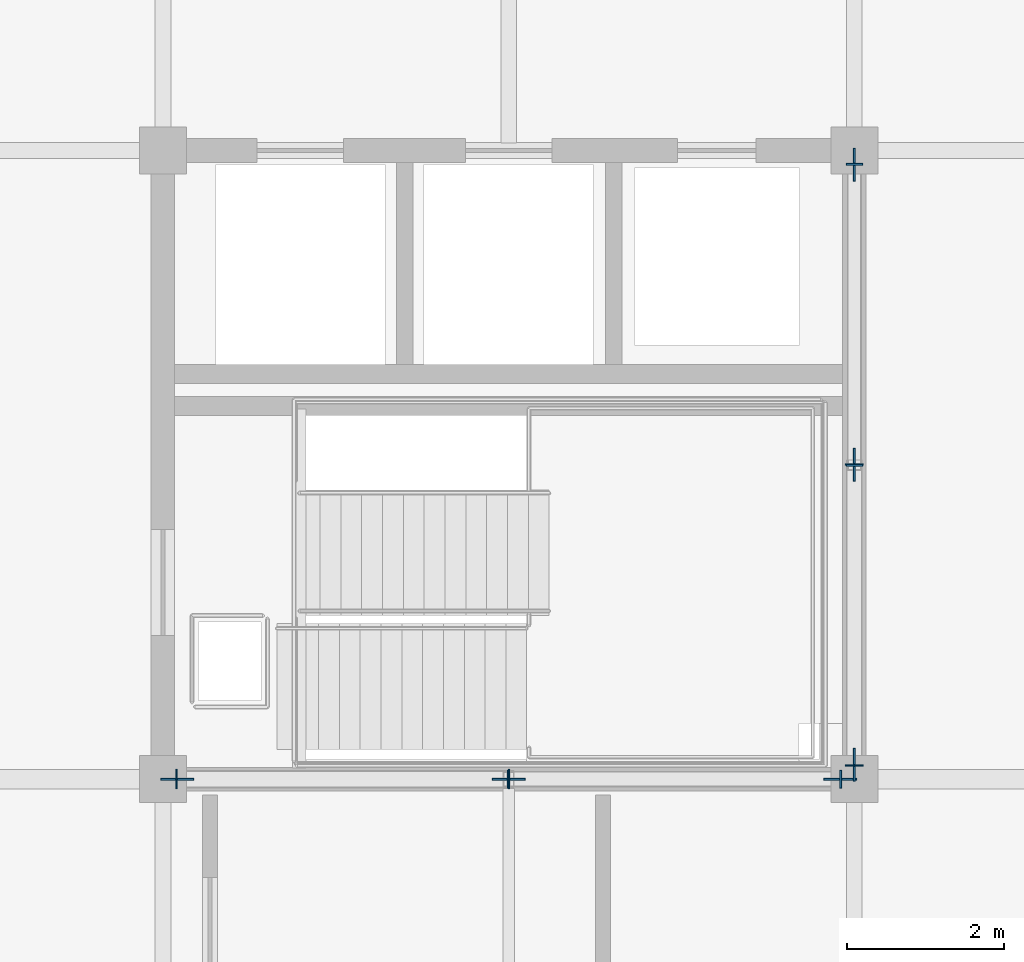
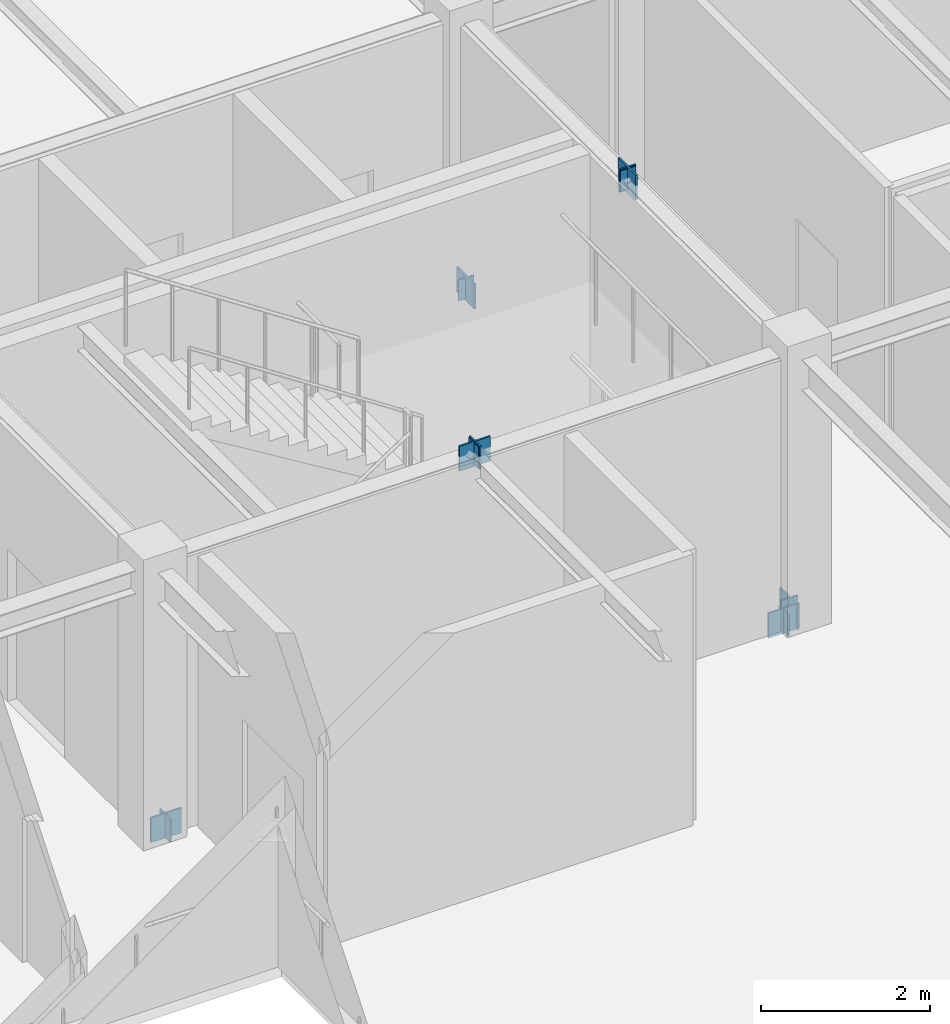
# One storey, part 11 of 22: 14 plates.
"""IFC4 building model written with IfcOpenShell, lengths in metres."""

from ifc_helpers import new_model, si_unit, direction, frame, origin, origin_2d, place, context, subcontext, project, spatial, rectangle, extrude, material, layer, layer_set, type_object, element, save


model = new_model("IFC4")

# Units and contexts
model_context = context("Model", 3, precision=1e-05, world=origin(), true_north=direction((0.0, 1.0)))
body_context = subcontext(model_context, "Body", "Model", "MODEL_VIEW")
ifc_project = project(units=[si_unit("LENGTHUNIT", "METRE"), si_unit("AREAUNIT", "SQUARE_METRE"), si_unit("VOLUMEUNIT", "CUBIC_METRE"), si_unit("PLANEANGLEUNIT", "RADIAN"), si_unit("MASSUNIT", "GRAM", prefix="KILO")], contexts=[model_context])

# Site, building, storey
site_placement = place(None, origin())
site = spatial("IfcSite", under=ifc_project, at=site_placement, CompositionType="ELEMENT")
building_placement = place(site_placement, origin())
building = spatial("IfcBuilding", under=site, at=building_placement, Name="Zhaolan Boulevard Law Courts", CompositionType="ELEMENT")
storey_placement = place(building_placement, frame((0.0, 0.0, 28.800048828125)))
storey = spatial("IfcBuildingStorey", under=building, at=storey_placement, Name="L06", CompositionType="ELEMENT", Elevation=28.800048828125)

# Plates
ifc_material_1 = material(Name="Structural steel Q355B", Category="steel")
ifc_layer_1 = layer(ifc_material_1, 0.02392578125)
ifc_layer_set_1 = layer_set([ifc_layer_1])
plate_type_1 = type_object("IfcPlateType", Name="BRACE GUSSET PLATE 24", PredefinedType="SHEET", material=ifc_layer_set_1)
for number, where, z_axis, x_axis, name in (
    (1, (17.780029296875, 46.0, -0.14990234375), (0.0, 0.0, 1.0), (1.0, 0.0, 0.0), "Brace Gusset Connection Plate GP-W1-L06-SA1"),
    (2, (26.219970703125, 46.0, -0.14990234375), (0.0, 0.0, 1.0), (1.0, 0.0, 0.0), "Brace Gusset Connection Plate GP-W1-L06-SA2"),
    (3, (22.0, 46.0, 3.73974609375), (0.0, 0.0, 1.0), (1.0, 0.0, 0.0), "Brace Gusset Connection Plate GP-W1-L06-SAPX"),
    (4, (26.39990234375, 46.179931640625, -0.14990234375), (0.0, 0.0, 1.0), (0.0, 1.0, 0.0), "Brace Gusset Connection Plate GP-W1-L06-EA1"),
    (5, (26.39990234375, 53.820068359375, -0.14990234375), (0.0, 0.0, 1.0), (0.0, 1.0, 0.0), "Brace Gusset Connection Plate GP-W1-L06-EA2"),
    (6, (26.39990234375, 50.0, 3.73974609375), (0.0, 0.0, 1.0), (0.0, 1.0, 0.0), "Brace Gusset Connection Plate GP-W1-L06-EAPX"),
):
    element("IfcPlate", number, at=place(storey_placement, frame(where, z_axis=z_axis, x_axis=x_axis)), inside=storey, type_object=plate_type_1, Name=name, PredefinedType="SHEET", context=body_context, shape_type="SweptSolid", body=[
        extrude(rectangle(XDim=0.419921875, YDim=0.02392578125, at=origin_2d()), origin(), (0.0, 0.0, 1.0), 0.360107421875),
    ])
ifc_material_2 = material(Name="Structural steel Q355B", Category="steel")
ifc_layer_2 = layer(ifc_material_2, 0.02001953125)
ifc_layer_set_2 = layer_set([ifc_layer_2])
plate_type_2 = type_object("IfcPlateType", Name="END CAP PLATE 20", PredefinedType="SHEET", material=ifc_layer_set_2)
for number, where, z_axis, x_axis, name in (
    (7, (17.774169921875, 46.0, -0.1455078125), (0.0, 0.0, 1.0), (1.0, 0.0, 0.0), "Hollow Section End-Cap Plate ECP-1103"),
    (8, (22.005859375, 46.0, 3.75537109375), (0.0, 0.0, 1.0), (1.0, 0.0, 0.0), "Hollow Section End-Cap Plate ECP-1104"),
):
    element("IfcPlate", number, at=place(storey_placement, frame(where, z_axis=z_axis, x_axis=x_axis)), inside=storey, type_object=plate_type_2, Name=name, PredefinedType="SHEET", context=body_context, shape_type="SweptSolid", body=[
        extrude(rectangle(XDim=0.02001953125, YDim=0.25, at=origin_2d()), origin(), (0.0, 0.0, 1.0), 0.340087890625),
    ])
for number, where, z_axis, x_axis, name in (
    (9, (26.225830078125, 46.0, -0.1318359375), (0.0, 0.0, 1.0), (-1.0, 0.0, 0.0), "Hollow Section End-Cap Plate ECP-1105"),
    (10, (21.994140625, 46.0, 3.768798828125), (0.0, 0.0, 1.0), (-1.0, 0.0, 0.0), "Hollow Section End-Cap Plate ECP-1106"),
):
    element("IfcPlate", number, at=place(storey_placement, frame(where, z_axis=z_axis, x_axis=x_axis)), inside=storey, type_object=plate_type_2, Name=name, PredefinedType="SHEET", context=body_context, shape_type="SweptSolid", body=[
        extrude(rectangle(XDim=0.02001953125, YDim=0.22998046875, at=origin_2d()), origin(), (0.0, 0.0, 1.0), 0.31298828125),
    ])
for number, where, z_axis, x_axis, name in (
    (11, (26.39990234375, 46.17431640625, -0.1396484375), (0.0, 0.0, 1.0), (0.0, 1.0, 0.0), "Hollow Section End-Cap Plate ECP-1107"),
    (12, (26.39990234375, 50.005615234375, 3.76171875), (0.0, 0.0, 1.0), (0.0, 1.0, 0.0), "Hollow Section End-Cap Plate ECP-1108"),
):
    element("IfcPlate", number, at=place(storey_placement, frame(where, z_axis=z_axis, x_axis=x_axis)), inside=storey, type_object=plate_type_2, Name=name, PredefinedType="SHEET", context=body_context, shape_type="SweptSolid", body=[
        extrude(rectangle(XDim=0.02001953125, YDim=0.22998046875, at=origin_2d()), origin(), (0.0, 0.0, 1.0), 0.327880859375),
    ])
for number, where, z_axis, x_axis, name in (
    (13, (26.39990234375, 53.82568359375, -0.1259765625), (0.0, 0.0, 1.0), (0.0, -1.0, 0.0), "Hollow Section End-Cap Plate ECP-1109"),
    (14, (26.39990234375, 49.994384765625, 3.775390625), (0.0, 0.0, 1.0), (0.0, -1.0, 0.0), "Hollow Section End-Cap Plate ECP-1110"),
):
    element("IfcPlate", number, at=place(storey_placement, frame(where, z_axis=z_axis, x_axis=x_axis)), inside=storey, type_object=plate_type_2, Name=name, PredefinedType="SHEET", context=body_context, shape_type="SweptSolid", body=[
        extrude(rectangle(XDim=0.02001953125, YDim=0.2099609375, at=origin_2d()), origin(), (0.0, 0.0, 1.0), 0.300048828125),
    ])

save(model, "model.ifc")
